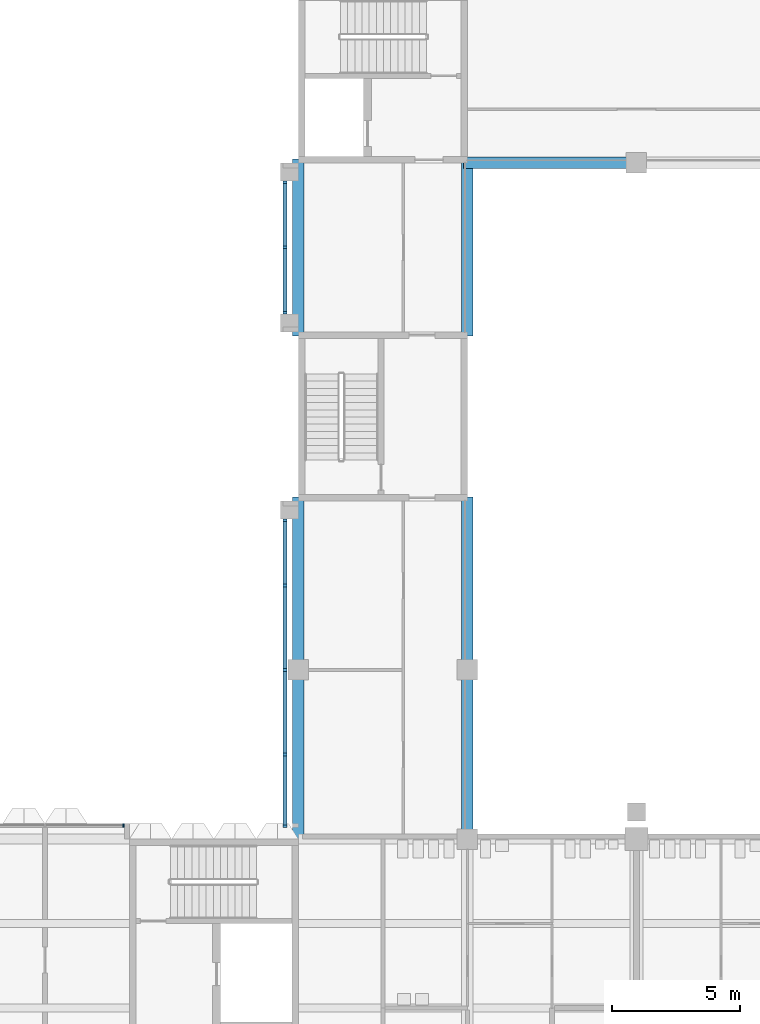
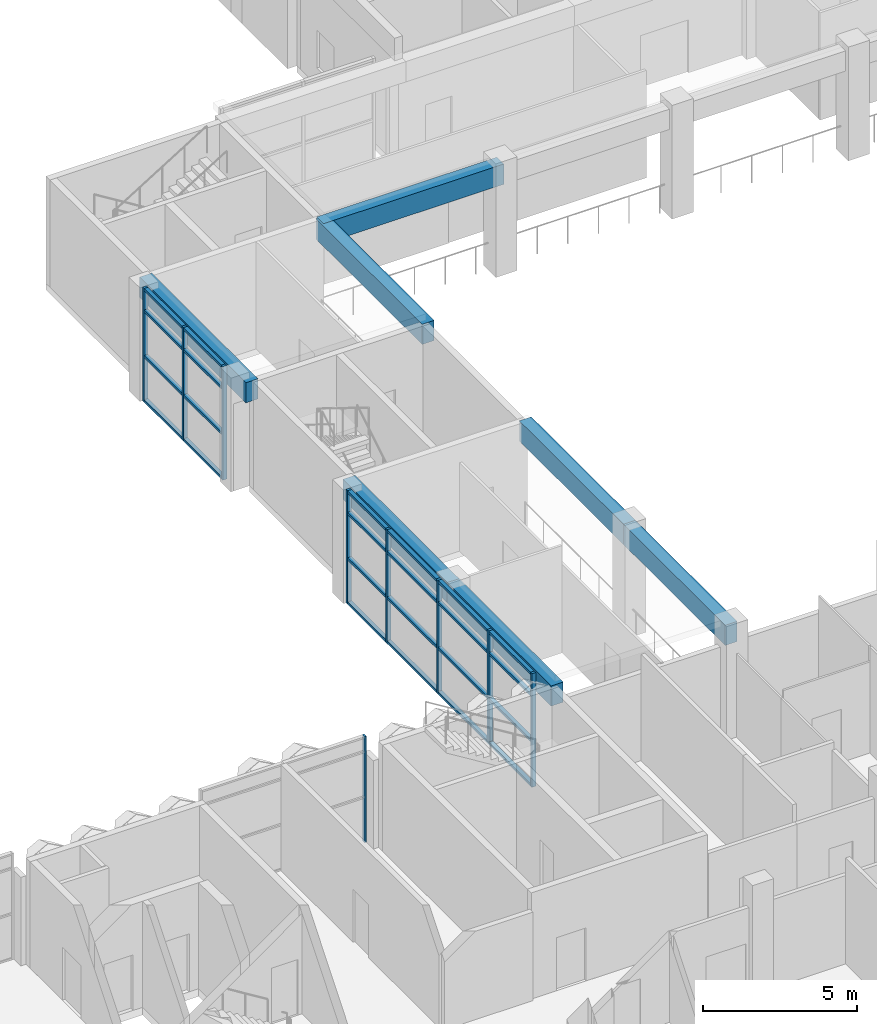
# One storey, part 11 of 87: 33 members, 7 beams, 3 elements without a shape of their own.
"""IFC4 building model written with IfcOpenShell, lengths in metres."""

from ifc_helpers import new_model, si_unit, direction, frame, origin, origin_2d, place, context, subcontext, project, spatial, rectangle, extrude, material, material_profile, profile_set, type_object, element, aggregate, save


model = new_model("IFC4")

# Units and contexts
model_context = context("Model", 3, precision=1e-05, world=origin(), true_north=direction((0.0, 1.0)))
body_context = subcontext(model_context, "Body", "Model", "MODEL_VIEW")
ifc_project = project(units=[si_unit("LENGTHUNIT", "METRE"), si_unit("AREAUNIT", "SQUARE_METRE"), si_unit("VOLUMEUNIT", "CUBIC_METRE"), si_unit("PLANEANGLEUNIT", "RADIAN"), si_unit("MASSUNIT", "GRAM", prefix="KILO")], contexts=[model_context])

# Site, building, storey
site_placement = place(None, origin())
site = spatial("IfcSite", under=ifc_project, at=site_placement, CompositionType="ELEMENT")
building_placement = place(site_placement, origin())
building = spatial("IfcBuilding", under=site, at=building_placement, Name="Lantern Court Research Institute", CompositionType="ELEMENT")
storey_placement = place(building_placement, frame((0.0, 0.0, 5.39990234375)))
storey = spatial("IfcBuildingStorey", under=building, at=storey_placement, Name="L01", CompositionType="ELEMENT", Elevation=5.39990234375)

# Beams
ifc_material_1 = material(Name="Concrete C40/50", Category="concrete")
ifc_material_profile_1 = material_profile(ifc_material_1, rectangle(XDim=0.449951171875, YDim=0.800048828125, at=origin_2d()), Name="Hall beam 450 x 800")
ifc_profile_set_1 = profile_set([ifc_material_profile_1], Name="Concrete C40/50")
beam_type = type_object("IfcBeamType", Name="Hall beam 450 x 800", PredefinedType="BEAM", material=ifc_profile_set_1)
for number, where, z_axis, x_axis, name in (
    (1, (39.60009765625, 22.949951171875, 3.85009765625), (0.0, 1.0, 0.0), (-1.0, 0.0, 0.0), "Gallery beam L02"),
    (2, (39.60009765625, 29.699951171875, 3.85009765625), (0.0, 1.0, 0.0), (-1.0, 0.0, 0.0), "Gallery beam L02"),
):
    element("IfcBeam", number, at=place(storey_placement, frame(where, z_axis=z_axis, x_axis=x_axis)), inside=storey, type_object=beam_type, Name=name, PredefinedType="BEAM", context=body_context, shape_type="SweptSolid", body=[
        extrude(rectangle(XDim=0.449951171875, YDim=0.800048828125, at=origin_2d()), origin(), (0.0, 0.0, 1.0), 6.75),
    ])
beam_1_placement = place(storey_placement, frame((39.60009765625, 42.75, 3.85009765625), z_axis=(0.0, 1.0, 0.0), x_axis=(-1.0, 0.0, 0.0)))
element("IfcBeam", 3, at=beam_1_placement, inside=storey, type_object=beam_type, Name="Gallery beam L02", PredefinedType="BEAM", context=body_context, shape_type="SweptSolid", body=[
    extrude(rectangle(XDim=0.449951171875, YDim=0.800048828125, at=origin_2d()), origin(), (0.0, 0.0, 1.0), 6.89990234375),
])
beam_2_placement = place(storey_placement, frame((46.199951171875, 23.10009765625, 3.85009765625), z_axis=(0.0, 1.0, 0.0), x_axis=(-1.0, 0.0, 0.0)))
element("IfcBeam", 4, at=beam_2_placement, inside=storey, type_object=beam_type, Name="Gallery beam L02", PredefinedType="BEAM", context=body_context, shape_type="SweptSolid", body=[
    extrude(rectangle(XDim=0.449951171875, YDim=0.800048828125, at=origin_2d()), origin(), (0.0, 0.0, 1.0), 6.599853515625),
])
beam_3_placement = place(storey_placement, frame((46.199951171875, 29.699951171875, 3.85009765625), z_axis=(0.0, 1.0, 0.0), x_axis=(-1.0, 0.0, 0.0)))
element("IfcBeam", 5, at=beam_3_placement, inside=storey, type_object=beam_type, Name="Gallery beam L02", PredefinedType="BEAM", context=body_context, shape_type="SweptSolid", body=[
    extrude(rectangle(XDim=0.449951171875, YDim=0.800048828125, at=origin_2d()), origin(), (0.0, 0.0, 1.0), 6.75),
])
beam_4_placement = place(storey_placement, frame((46.199951171875, 42.75, 3.85009765625), z_axis=(0.0, 1.0, 0.0), x_axis=(-1.0, 0.0, 0.0)))
element("IfcBeam", 6, at=beam_4_placement, inside=storey, type_object=beam_type, Name="Gallery beam L02", PredefinedType="BEAM", context=body_context, shape_type="SweptSolid", body=[
    extrude(rectangle(XDim=0.449951171875, YDim=0.800048828125, at=origin_2d()), origin(), (0.0, 0.0, 1.0), 6.89990234375),
])
beam_5_placement = place(storey_placement, frame((46.050048828125, 49.5, 3.85009765625), z_axis=(1.0, 0.0, 0.0), x_axis=(0.0, 1.0, 0.0)))
element("IfcBeam", 7, at=beam_5_placement, inside=storey, type_object=beam_type, Name="Gallery beam L02", PredefinedType="BEAM", context=body_context, shape_type="SweptSolid", body=[
    extrude(rectangle(XDim=0.449951171875, YDim=0.800048828125, at=origin_2d()), origin(), (0.0, 0.0, 1.0), 6.75),
])

# Curtain wall, members
ifc_material_2 = material(Name="Aluminium alloy 6063-T6", Category="aluminium")
curtain_wall_type_1 = type_object("IfcCurtainWallType", Name="Curtain wall 12050 x 4500 x 150 aluminium frame", PredefinedType="NOTDEFINED", material=ifc_material_2)
curtain_wall_1_placement = place(storey_placement, origin())
curtain_wall_1 = element("IfcCurtainWall", 8, at=curtain_wall_1_placement, inside=storey, type_object=curtain_wall_type_1, Name="Curtain wall CW019", PredefinedType="NOTDEFINED")
ifc_material_3 = material(Name="Aluminium alloy 6063-T6", Category="aluminium")
ifc_material_profile_2 = material_profile(ifc_material_3, rectangle(XDim=0.14990234375, YDim=0.10009765625, at=origin_2d()), Name="Mullion 150 x 100")
ifc_profile_set_2 = profile_set([ifc_material_profile_2], Name="Aluminium alloy 6063-T6")
member_type_1 = type_object("IfcMemberType", Name="Mullion 150 x 100 aluminium", PredefinedType="MULLION", material=ifc_profile_set_2)
member_1_placement = place(storey_placement, frame((39.074951171875, 23.60009765625, 0.0), z_axis=(0.0, 0.0, 1.0), x_axis=(-1.0, 0.0, 0.0)))
member_1 = element("IfcMember", 9, at=member_1_placement, type_object=member_type_1, Name="CW019 mullion 1", PredefinedType="MULLION", context=body_context, shape_type="SweptSolid", body=[
    extrude(rectangle(XDim=0.14990234375, YDim=0.10009765625, at=origin_2d()), origin(), (0.0, 0.0, 1.0), 4.5),
])
member_2_placement = place(storey_placement, frame((39.074951171875, 26.39990234375, 0.0), z_axis=(0.0, 0.0, 1.0), x_axis=(-1.0, 0.0, 0.0)))
member_2 = element("IfcMember", 10, at=member_2_placement, type_object=member_type_1, Name="CW019 mullion 2", PredefinedType="MULLION", context=body_context, shape_type="SweptSolid", body=[
    extrude(rectangle(XDim=0.14990234375, YDim=0.10009765625, at=origin_2d()), origin(), (0.0, 0.0, 1.0), 4.5),
])
member_3_placement = place(storey_placement, frame((39.074951171875, 29.699951171875, 0.0), z_axis=(0.0, 0.0, 1.0), x_axis=(-1.0, 0.0, 0.0)))
member_3 = element("IfcMember", 11, at=member_3_placement, type_object=member_type_1, Name="CW019 mullion 3", PredefinedType="MULLION", context=body_context, shape_type="SweptSolid", body=[
    extrude(rectangle(XDim=0.14990234375, YDim=0.10009765625, at=origin_2d()), origin(), (0.0, 0.0, 1.0), 4.5),
])
member_4_placement = place(storey_placement, frame((39.074951171875, 33.0, 0.0), z_axis=(0.0, 0.0, 1.0), x_axis=(-1.0, 0.0, 0.0)))
member_4 = element("IfcMember", 12, at=member_4_placement, type_object=member_type_1, Name="CW019 mullion 4", PredefinedType="MULLION", context=body_context, shape_type="SweptSolid", body=[
    extrude(rectangle(XDim=0.14990234375, YDim=0.10009765625, at=origin_2d()), origin(), (0.0, 0.0, 1.0), 4.5),
])
member_5_placement = place(storey_placement, frame((39.074951171875, 35.550048828125, 0.0), z_axis=(0.0, 0.0, 1.0), x_axis=(-1.0, 0.0, 0.0)))
member_5 = element("IfcMember", 13, at=member_5_placement, type_object=member_type_1, Name="CW019 mullion 5", PredefinedType="MULLION", context=body_context, shape_type="SweptSolid", body=[
    extrude(rectangle(XDim=0.14990234375, YDim=0.10009765625, at=origin_2d()), origin(), (0.0, 0.0, 1.0), 4.5),
])

ifc_material_4 = material(Name="Aluminium alloy 6063-T6", Category="aluminium")
curtain_wall_type_2 = type_object("IfcCurtainWallType", Name="Curtain wall 5200 x 4500 x 150 aluminium frame", PredefinedType="NOTDEFINED", material=ifc_material_4)
curtain_wall_2_placement = place(storey_placement, origin())
curtain_wall_2 = element("IfcCurtainWall", 14, at=curtain_wall_2_placement, inside=storey, type_object=curtain_wall_type_2, Name="Curtain wall CW020", PredefinedType="NOTDEFINED")
member_6_placement = place(storey_placement, frame((39.074951171875, 43.64990234375, 0.0), z_axis=(0.0, 0.0, 1.0), x_axis=(-1.0, 0.0, 0.0)))
member_6 = element("IfcMember", 15, at=member_6_placement, type_object=member_type_1, Name="CW020 mullion 1", PredefinedType="MULLION", context=body_context, shape_type="SweptSolid", body=[
    extrude(rectangle(XDim=0.14990234375, YDim=0.10009765625, at=origin_2d()), origin(), (0.0, 0.0, 1.0), 4.5),
])
member_7_placement = place(storey_placement, frame((39.074951171875, 46.199951171875, 0.0), z_axis=(0.0, 0.0, 1.0), x_axis=(-1.0, 0.0, 0.0)))
member_7 = element("IfcMember", 16, at=member_7_placement, type_object=member_type_1, Name="CW020 mullion 2", PredefinedType="MULLION", context=body_context, shape_type="SweptSolid", body=[
    extrude(rectangle(XDim=0.14990234375, YDim=0.10009765625, at=origin_2d()), origin(), (0.0, 0.0, 1.0), 4.5),
])
member_8_placement = place(storey_placement, frame((39.074951171875, 48.75, 0.0), z_axis=(0.0, 0.0, 1.0), x_axis=(-1.0, 0.0, 0.0)))
member_8 = element("IfcMember", 17, at=member_8_placement, type_object=member_type_1, Name="CW020 mullion 3", PredefinedType="MULLION", context=body_context, shape_type="SweptSolid", body=[
    extrude(rectangle(XDim=0.14990234375, YDim=0.10009765625, at=origin_2d()), origin(), (0.0, 0.0, 1.0), 4.5),
])

# Curtain wall, member
ifc_material_5 = material(Name="Aluminium alloy 6063-T6", Category="aluminium")
curtain_wall_type_3 = type_object("IfcCurtainWallType", Name="Curtain wall 6200 x 4200 x 150 aluminium frame", PredefinedType="NOTDEFINED", material=ifc_material_5)
curtain_wall_3_placement = place(storey_placement, origin())
curtain_wall_3 = element("IfcCurtainWall", 18, at=curtain_wall_3_placement, inside=storey, type_object=curtain_wall_type_3, Name="Curtain wall CW022", PredefinedType="NOTDEFINED")
ifc_material_6 = material(Name="Aluminium alloy 6063-T6", Category="aluminium")
ifc_material_profile_3 = material_profile(ifc_material_6, rectangle(XDim=0.14990234375, YDim=0.06005859375, at=origin_2d()), Name="Mullion 150 x 60")
ifc_profile_set_3 = profile_set([ifc_material_profile_3], Name="Aluminium alloy 6063-T6")
member_type_2 = type_object("IfcMemberType", Name="Mullion 150 x 60 aluminium", PredefinedType="MULLION", material=ifc_profile_set_3)
member_9_placement = place(storey_placement, frame((32.77001953125, 23.625, 0.0), z_axis=(0.0, 0.0, 1.0), x_axis=(0.0, 1.0, 0.0)))
member_9 = element("IfcMember", 19, at=member_9_placement, type_object=member_type_2, Name="CW022 mullion 3", PredefinedType="MULLION", context=body_context, shape_type="SweptSolid", body=[
    extrude(rectangle(XDim=0.14990234375, YDim=0.06005859375, at=origin_2d()), origin(), (0.0, 0.0, 1.0), 4.2001953125),
])
aggregate(curtain_wall_3, [member_9])

# Member
ifc_material_7 = material(Name="Aluminium alloy 6063-T6", Category="aluminium")
ifc_material_profile_4 = material_profile(ifc_material_7, rectangle(XDim=0.14990234375, YDim=0.10009765625, at=origin_2d()), Name="Transom 150 x 100")
ifc_profile_set_4 = profile_set([ifc_material_profile_4], Name="Aluminium alloy 6063-T6")
member_type_3 = type_object("IfcMemberType", Name="Transom 150 x 100 aluminium", PredefinedType="USERDEFINED", material=ifc_profile_set_4)
member_10_placement = place(storey_placement, frame((39.074951171875, 23.64990234375, 0.050048828125), z_axis=(0.0, 1.0, 0.0), x_axis=(-1.0, 0.0, 0.0)))
member_10 = element("IfcMember", 20, at=member_10_placement, type_object=member_type_3, Name="CW019 transom 1.1", ObjectType="TRANSOM", PredefinedType="USERDEFINED", context=body_context, shape_type="SweptSolid", body=[
    extrude(rectangle(XDim=0.14990234375, YDim=0.10009765625, at=origin_2d()), origin(), (0.0, 0.0, 1.0), 2.7001953125),
])

member_11_placement = place(storey_placement, frame((39.074951171875, 23.64990234375, 1.800048828125), z_axis=(0.0, 1.0, 0.0), x_axis=(-1.0, 0.0, 0.0)))
member_11 = element("IfcMember", 21, at=member_11_placement, type_object=member_type_3, Name="CW019 transom 1.2", ObjectType="TRANSOM", PredefinedType="USERDEFINED", context=body_context, shape_type="SweptSolid", body=[
    extrude(rectangle(XDim=0.14990234375, YDim=0.10009765625, at=origin_2d()), origin(), (0.0, 0.0, 1.0), 2.7001953125),
])

member_12_placement = place(storey_placement, frame((39.074951171875, 23.64990234375, 3.60009765625), z_axis=(0.0, 1.0, 0.0), x_axis=(-1.0, 0.0, 0.0)))
member_12 = element("IfcMember", 22, at=member_12_placement, type_object=member_type_3, Name="CW019 transom 1.3", ObjectType="TRANSOM", PredefinedType="USERDEFINED", context=body_context, shape_type="SweptSolid", body=[
    extrude(rectangle(XDim=0.14990234375, YDim=0.10009765625, at=origin_2d()), origin(), (0.0, 0.0, 1.0), 2.7001953125),
])

member_13_placement = place(storey_placement, frame((39.074951171875, 23.64990234375, 4.4501953125), z_axis=(0.0, 1.0, 0.0), x_axis=(-1.0, 0.0, 0.0)))
member_13 = element("IfcMember", 23, at=member_13_placement, type_object=member_type_3, Name="CW019 transom 1.4", ObjectType="TRANSOM", PredefinedType="USERDEFINED", context=body_context, shape_type="SweptSolid", body=[
    extrude(rectangle(XDim=0.14990234375, YDim=0.10009765625, at=origin_2d()), origin(), (0.0, 0.0, 1.0), 2.7001953125),
])

member_14_placement = place(storey_placement, frame((39.074951171875, 26.449951171875, 0.050048828125), z_axis=(0.0, 1.0, 0.0), x_axis=(-1.0, 0.0, 0.0)))
member_14 = element("IfcMember", 24, at=member_14_placement, type_object=member_type_3, Name="CW019 transom 2.1", ObjectType="TRANSOM", PredefinedType="USERDEFINED", context=body_context, shape_type="SweptSolid", body=[
    extrude(rectangle(XDim=0.14990234375, YDim=0.10009765625, at=origin_2d()), origin(), (0.0, 0.0, 1.0), 3.199951171875),
])

member_15_placement = place(storey_placement, frame((39.074951171875, 26.449951171875, 1.800048828125), z_axis=(0.0, 1.0, 0.0), x_axis=(-1.0, 0.0, 0.0)))
member_15 = element("IfcMember", 25, at=member_15_placement, type_object=member_type_3, Name="CW019 transom 2.2", ObjectType="TRANSOM", PredefinedType="USERDEFINED", context=body_context, shape_type="SweptSolid", body=[
    extrude(rectangle(XDim=0.14990234375, YDim=0.10009765625, at=origin_2d()), origin(), (0.0, 0.0, 1.0), 3.199951171875),
])

member_16_placement = place(storey_placement, frame((39.074951171875, 26.449951171875, 3.60009765625), z_axis=(0.0, 1.0, 0.0), x_axis=(-1.0, 0.0, 0.0)))
member_16 = element("IfcMember", 26, at=member_16_placement, type_object=member_type_3, Name="CW019 transom 2.3", ObjectType="TRANSOM", PredefinedType="USERDEFINED", context=body_context, shape_type="SweptSolid", body=[
    extrude(rectangle(XDim=0.14990234375, YDim=0.10009765625, at=origin_2d()), origin(), (0.0, 0.0, 1.0), 3.199951171875),
])

member_17_placement = place(storey_placement, frame((39.074951171875, 26.449951171875, 4.4501953125), z_axis=(0.0, 1.0, 0.0), x_axis=(-1.0, 0.0, 0.0)))
member_17 = element("IfcMember", 27, at=member_17_placement, type_object=member_type_3, Name="CW019 transom 2.4", ObjectType="TRANSOM", PredefinedType="USERDEFINED", context=body_context, shape_type="SweptSolid", body=[
    extrude(rectangle(XDim=0.14990234375, YDim=0.10009765625, at=origin_2d()), origin(), (0.0, 0.0, 1.0), 3.199951171875),
])

member_18_placement = place(storey_placement, frame((39.074951171875, 29.75, 0.050048828125), z_axis=(0.0, 1.0, 0.0), x_axis=(-1.0, 0.0, 0.0)))
member_18 = element("IfcMember", 28, at=member_18_placement, type_object=member_type_3, Name="CW019 transom 3.1", ObjectType="TRANSOM", PredefinedType="USERDEFINED", context=body_context, shape_type="SweptSolid", body=[
    extrude(rectangle(XDim=0.14990234375, YDim=0.10009765625, at=origin_2d()), origin(), (0.0, 0.0, 1.0), 3.199951171875),
])

member_19_placement = place(storey_placement, frame((39.074951171875, 29.75, 1.800048828125), z_axis=(0.0, 1.0, 0.0), x_axis=(-1.0, 0.0, 0.0)))
member_19 = element("IfcMember", 29, at=member_19_placement, type_object=member_type_3, Name="CW019 transom 3.2", ObjectType="TRANSOM", PredefinedType="USERDEFINED", context=body_context, shape_type="SweptSolid", body=[
    extrude(rectangle(XDim=0.14990234375, YDim=0.10009765625, at=origin_2d()), origin(), (0.0, 0.0, 1.0), 3.199951171875),
])

member_20_placement = place(storey_placement, frame((39.074951171875, 29.75, 3.60009765625), z_axis=(0.0, 1.0, 0.0), x_axis=(-1.0, 0.0, 0.0)))
member_20 = element("IfcMember", 30, at=member_20_placement, type_object=member_type_3, Name="CW019 transom 3.3", ObjectType="TRANSOM", PredefinedType="USERDEFINED", context=body_context, shape_type="SweptSolid", body=[
    extrude(rectangle(XDim=0.14990234375, YDim=0.10009765625, at=origin_2d()), origin(), (0.0, 0.0, 1.0), 3.199951171875),
])

member_21_placement = place(storey_placement, frame((39.074951171875, 29.75, 4.4501953125), z_axis=(0.0, 1.0, 0.0), x_axis=(-1.0, 0.0, 0.0)))
member_21 = element("IfcMember", 31, at=member_21_placement, type_object=member_type_3, Name="CW019 transom 3.4", ObjectType="TRANSOM", PredefinedType="USERDEFINED", context=body_context, shape_type="SweptSolid", body=[
    extrude(rectangle(XDim=0.14990234375, YDim=0.10009765625, at=origin_2d()), origin(), (0.0, 0.0, 1.0), 3.199951171875),
])

member_22_placement = place(storey_placement, frame((39.074951171875, 33.050048828125, 0.050048828125), z_axis=(0.0, 1.0, 0.0), x_axis=(-1.0, 0.0, 0.0)))
member_22 = element("IfcMember", 32, at=member_22_placement, type_object=member_type_3, Name="CW019 transom 4.1", ObjectType="TRANSOM", PredefinedType="USERDEFINED", context=body_context, shape_type="SweptSolid", body=[
    extrude(rectangle(XDim=0.14990234375, YDim=0.10009765625, at=origin_2d()), origin(), (0.0, 0.0, 1.0), 2.449951171875),
])

member_23_placement = place(storey_placement, frame((39.074951171875, 33.050048828125, 1.800048828125), z_axis=(0.0, 1.0, 0.0), x_axis=(-1.0, 0.0, 0.0)))
member_23 = element("IfcMember", 33, at=member_23_placement, type_object=member_type_3, Name="CW019 transom 4.2", ObjectType="TRANSOM", PredefinedType="USERDEFINED", context=body_context, shape_type="SweptSolid", body=[
    extrude(rectangle(XDim=0.14990234375, YDim=0.10009765625, at=origin_2d()), origin(), (0.0, 0.0, 1.0), 2.449951171875),
])

member_24_placement = place(storey_placement, frame((39.074951171875, 33.050048828125, 3.60009765625), z_axis=(0.0, 1.0, 0.0), x_axis=(-1.0, 0.0, 0.0)))
member_24 = element("IfcMember", 34, at=member_24_placement, type_object=member_type_3, Name="CW019 transom 4.3", ObjectType="TRANSOM", PredefinedType="USERDEFINED", context=body_context, shape_type="SweptSolid", body=[
    extrude(rectangle(XDim=0.14990234375, YDim=0.10009765625, at=origin_2d()), origin(), (0.0, 0.0, 1.0), 2.449951171875),
])

member_25_placement = place(storey_placement, frame((39.074951171875, 33.050048828125, 4.4501953125), z_axis=(0.0, 1.0, 0.0), x_axis=(-1.0, 0.0, 0.0)))
member_25 = element("IfcMember", 35, at=member_25_placement, type_object=member_type_3, Name="CW019 transom 4.4", ObjectType="TRANSOM", PredefinedType="USERDEFINED", context=body_context, shape_type="SweptSolid", body=[
    extrude(rectangle(XDim=0.14990234375, YDim=0.10009765625, at=origin_2d()), origin(), (0.0, 0.0, 1.0), 2.449951171875),
])

aggregate(curtain_wall_1, [member_1, member_2, member_3, member_4, member_5, member_10, member_11, member_12, member_13, member_14, member_15, member_16, member_17, member_18, member_19, member_20, member_21, member_22, member_23, member_24, member_25])

member_26_placement = place(storey_placement, frame((39.074951171875, 43.699951171875, 0.050048828125), z_axis=(0.0, 1.0, 0.0), x_axis=(-1.0, 0.0, 0.0)))
member_26 = element("IfcMember", 36, at=member_26_placement, type_object=member_type_3, Name="CW020 transom 1.1", ObjectType="TRANSOM", PredefinedType="USERDEFINED", context=body_context, shape_type="SweptSolid", body=[
    extrude(rectangle(XDim=0.14990234375, YDim=0.10009765625, at=origin_2d()), origin(), (0.0, 0.0, 1.0), 2.449951171875),
])

member_27_placement = place(storey_placement, frame((39.074951171875, 43.699951171875, 1.800048828125), z_axis=(0.0, 1.0, 0.0), x_axis=(-1.0, 0.0, 0.0)))
member_27 = element("IfcMember", 37, at=member_27_placement, type_object=member_type_3, Name="CW020 transom 1.2", ObjectType="TRANSOM", PredefinedType="USERDEFINED", context=body_context, shape_type="SweptSolid", body=[
    extrude(rectangle(XDim=0.14990234375, YDim=0.10009765625, at=origin_2d()), origin(), (0.0, 0.0, 1.0), 2.449951171875),
])

member_28_placement = place(storey_placement, frame((39.074951171875, 43.699951171875, 3.60009765625), z_axis=(0.0, 1.0, 0.0), x_axis=(-1.0, 0.0, 0.0)))
member_28 = element("IfcMember", 38, at=member_28_placement, type_object=member_type_3, Name="CW020 transom 1.3", ObjectType="TRANSOM", PredefinedType="USERDEFINED", context=body_context, shape_type="SweptSolid", body=[
    extrude(rectangle(XDim=0.14990234375, YDim=0.10009765625, at=origin_2d()), origin(), (0.0, 0.0, 1.0), 2.449951171875),
])

member_29_placement = place(storey_placement, frame((39.074951171875, 43.699951171875, 4.4501953125), z_axis=(0.0, 1.0, 0.0), x_axis=(-1.0, 0.0, 0.0)))
member_29 = element("IfcMember", 39, at=member_29_placement, type_object=member_type_3, Name="CW020 transom 1.4", ObjectType="TRANSOM", PredefinedType="USERDEFINED", context=body_context, shape_type="SweptSolid", body=[
    extrude(rectangle(XDim=0.14990234375, YDim=0.10009765625, at=origin_2d()), origin(), (0.0, 0.0, 1.0), 2.449951171875),
])

member_30_placement = place(storey_placement, frame((39.074951171875, 46.25, 0.050048828125), z_axis=(0.0, 1.0, 0.0), x_axis=(-1.0, 0.0, 0.0)))
member_30 = element("IfcMember", 40, at=member_30_placement, type_object=member_type_3, Name="CW020 transom 2.1", ObjectType="TRANSOM", PredefinedType="USERDEFINED", context=body_context, shape_type="SweptSolid", body=[
    extrude(rectangle(XDim=0.14990234375, YDim=0.10009765625, at=origin_2d()), origin(), (0.0, 0.0, 1.0), 2.449951171875),
])

member_31_placement = place(storey_placement, frame((39.074951171875, 46.25, 1.800048828125), z_axis=(0.0, 1.0, 0.0), x_axis=(-1.0, 0.0, 0.0)))
member_31 = element("IfcMember", 41, at=member_31_placement, type_object=member_type_3, Name="CW020 transom 2.2", ObjectType="TRANSOM", PredefinedType="USERDEFINED", context=body_context, shape_type="SweptSolid", body=[
    extrude(rectangle(XDim=0.14990234375, YDim=0.10009765625, at=origin_2d()), origin(), (0.0, 0.0, 1.0), 2.449951171875),
])

member_32_placement = place(storey_placement, frame((39.074951171875, 46.25, 3.60009765625), z_axis=(0.0, 1.0, 0.0), x_axis=(-1.0, 0.0, 0.0)))
member_32 = element("IfcMember", 42, at=member_32_placement, type_object=member_type_3, Name="CW020 transom 2.3", ObjectType="TRANSOM", PredefinedType="USERDEFINED", context=body_context, shape_type="SweptSolid", body=[
    extrude(rectangle(XDim=0.14990234375, YDim=0.10009765625, at=origin_2d()), origin(), (0.0, 0.0, 1.0), 2.449951171875),
])

member_33_placement = place(storey_placement, frame((39.074951171875, 46.25, 4.4501953125), z_axis=(0.0, 1.0, 0.0), x_axis=(-1.0, 0.0, 0.0)))
member_33 = element("IfcMember", 43, at=member_33_placement, type_object=member_type_3, Name="CW020 transom 2.4", ObjectType="TRANSOM", PredefinedType="USERDEFINED", context=body_context, shape_type="SweptSolid", body=[
    extrude(rectangle(XDim=0.14990234375, YDim=0.10009765625, at=origin_2d()), origin(), (0.0, 0.0, 1.0), 2.449951171875),
])

aggregate(curtain_wall_2, [member_6, member_7, member_8, member_26, member_27, member_28, member_29, member_30, member_31, member_32, member_33])

save(model, "model.ifc")
